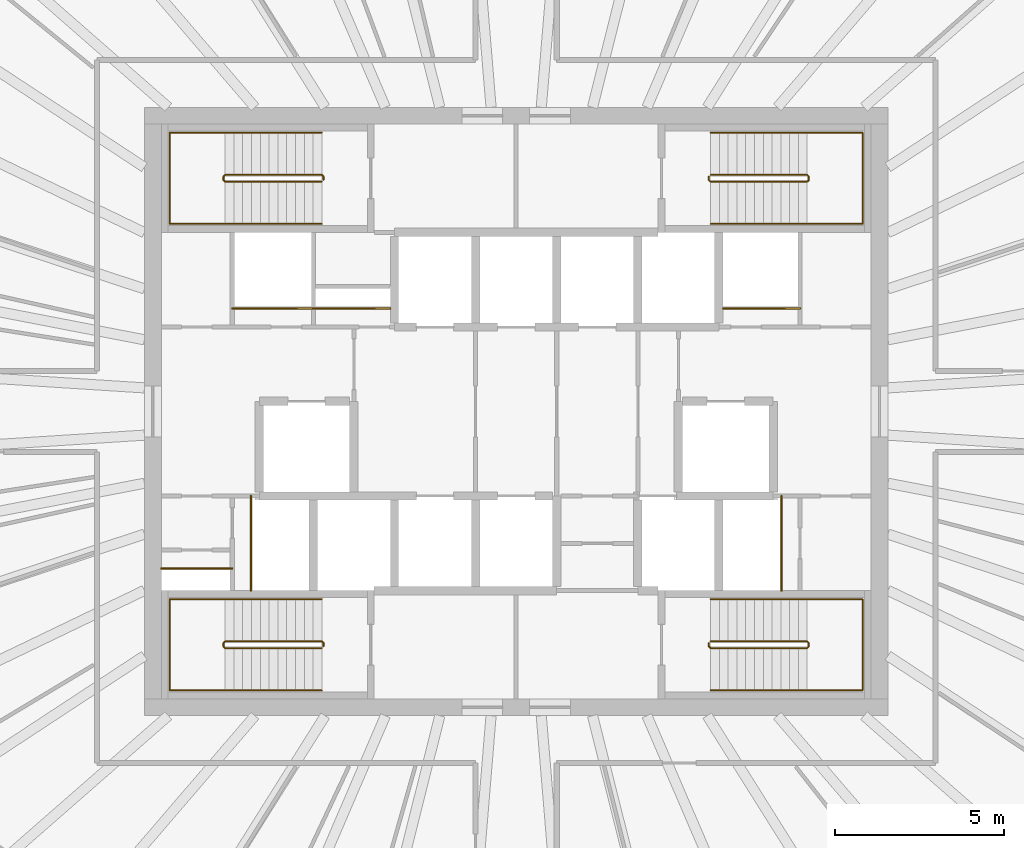
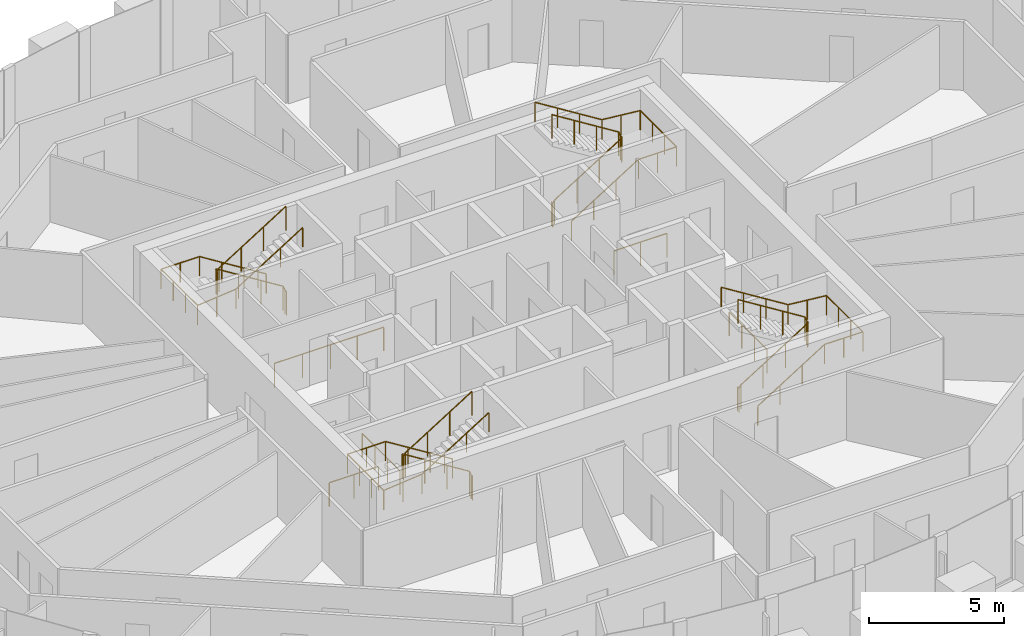
# One storey, part 12 of 12: 14 railings.
"""IFC4 building model written with IfcOpenShell, lengths in metres."""

from ifc_helpers import new_model, si_unit, direction, frame, origin, origin_2d, place, context, subcontext, project, spatial, circle, extrude, source, transform, mapped, material, type_object, element, save


model = new_model("IFC4")

# Units and contexts
model_context = context("Model", 3, precision=1e-05, world=origin(), true_north=direction((0.0, 1.0)))
body_context = subcontext(model_context, "Body", "Model", "MODEL_VIEW")
ifc_project = project(units=[si_unit("LENGTHUNIT", "METRE"), si_unit("AREAUNIT", "SQUARE_METRE"), si_unit("VOLUMEUNIT", "CUBIC_METRE"), si_unit("PLANEANGLEUNIT", "RADIAN"), si_unit("MASSUNIT", "GRAM", prefix="KILO")], contexts=[model_context])

# Site, building, storey
site_placement = place(None, origin())
site = spatial("IfcSite", under=ifc_project, at=site_placement, CompositionType="ELEMENT")
building_placement = place(site_placement, origin())
building = spatial("IfcBuilding", under=site, at=building_placement, Name="Embergate Tower", CompositionType="ELEMENT")
storey_placement = place(building_placement, frame((0.0, 0.0, 301.300048828125)))
storey = spatial("IfcBuildingStorey", under=building, at=storey_placement, Name="L70", CompositionType="ELEMENT", Elevation=301.300048828125)

# Railings
ifc_material_1 = material(Name="Stair guard 1100")
railing_type_1 = type_object("IfcRailingType", Name="Stair guard 1100", PredefinedType="GUARDRAIL", material=ifc_material_1)
shared_shape_1 = source(origin(), body_context, "Body", "SweptSolid", [
    extrude(circle(Radius=0.02392578125, at=origin_2d()), frame((0.0, 0.0, 1.076171875), z_axis=(0.0, 1.0, 0.0), x_axis=(-1.0, 0.0, 0.0)), (0.0, 0.0, 1.0), 0.099853515625),
    extrude(circle(Radius=0.02392578125, at=origin_2d()), frame((0.0, 0.099853515625, 1.076171875), z_axis=(-0.282583949758, 0.282583949758, 0.916674763849), x_axis=(-0.707106781187, -0.707106781187, 0.0)), (0.0, 0.0, 1.0), 0.177001953125),
    extrude(circle(Radius=0.02392578125, at=origin_2d()), frame((-0.050048828125, 0.14990234375, 1.23828125), z_axis=(-0.847994237388, 0.0, 0.530005446535), x_axis=(0.0, -1.0, 0.0)), (0.0, 0.0, 1.0), 3.372802734375),
    extrude(circle(Radius=0.02392578125, at=origin_2d()), frame((-2.91015625, 0.14990234375, 3.02587890625), z_axis=(-0.705375805398, -0.708833529934, 0.0), x_axis=(0.708833529934, -0.705375805398, 0.0)), (0.0, 0.0, 1.0), 0.070556640625),
    extrude(circle(Radius=0.02392578125, at=origin_2d()), frame((-2.9599609375, 0.099853515625, 3.02587890625), z_axis=(0.0, -1.0, 0.0), x_axis=(1.0, 0.0, 0.0)), (0.0, 0.0, 1.0), 0.099853515625),
    extrude(circle(Radius=0.02392578125, at=origin_2d()), frame((-2.9599609375, 0.0, 3.02587890625), z_axis=(0.280959487676, -0.282336740067, 0.917250092119), x_axis=(0.708833529934, 0.705375805398, 0.0)), (0.0, 0.0, 1.0), 0.17724609375),
    extrude(circle(Radius=0.02392578125, at=origin_2d()), frame((-2.91015625, -0.050048828125, 3.1884765625), z_axis=(0.848026770018, 0.0, 0.529953391661), x_axis=(0.0, 1.0, 0.0)), (0.0, 0.0, 1.0), 3.37255859375),
    extrude(circle(Radius=0.02099609375, at=origin_2d()), origin(), (0.0, 0.0, 1.0), 1.052001953125),
    extrude(circle(Radius=0.02099609375, at=origin_2d()), frame((0.0, 0.099853515625, 0.0)), (0.0, 0.0, 1.0), 1.052001953125),
    extrude(circle(Radius=0.02099609375, at=origin_2d()), frame((-0.050048828125, 0.14990234375, 0.162353515625)), (0.0, 0.0, 1.0), 1.052001953125),
    extrude(circle(Radius=0.02099609375, at=origin_2d()), frame((-1.00341796875, 0.14990234375, 0.75830078125)), (0.0, 0.0, 1.0), 1.052001953125),
    extrude(circle(Radius=0.02099609375, at=origin_2d()), frame((-1.956787109375, 0.14990234375, 1.35400390625)), (0.0, 0.0, 1.0), 1.052001953125),
    extrude(circle(Radius=0.02099609375, at=origin_2d()), frame((-2.91015625, 0.14990234375, 1.949951171875)), (0.0, 0.0, 1.0), 1.052001953125),
    extrude(circle(Radius=0.02099609375, at=origin_2d()), frame((-2.9599609375, 0.099853515625, 1.949951171875)), (0.0, 0.0, 1.0), 1.052001953125),
    extrude(circle(Radius=0.02099609375, at=origin_2d()), frame((-2.9599609375, 0.0, 1.949951171875)), (0.0, 0.0, 1.0), 1.052001953125),
    extrude(circle(Radius=0.02099609375, at=origin_2d()), frame((-2.91015625, -0.050048828125, 2.112548828125)), (0.0, 0.0, 1.0), 1.052001953125),
    extrude(circle(Radius=0.02099609375, at=origin_2d()), frame((-1.956787109375, -0.050048828125, 2.708251953125)), (0.0, 0.0, 1.0), 1.052001953125),
    extrude(circle(Radius=0.02099609375, at=origin_2d()), frame((-1.00341796875, -0.050048828125, 3.30419921875)), (0.0, 0.0, 1.0), 1.052001953125),
    extrude(circle(Radius=0.02099609375, at=origin_2d()), frame((-0.050048828125, -0.050048828125, 3.89990234375)), (0.0, 0.0, 1.0), 1.052001953125),
])
for number, where, name in (
    (1, (-5.699951171875, 6.85009765625, 0.0), "L70 ST1 stair guard 1"),
    (2, (-5.699951171875, -6.949951171875, 0.0), "L70 ST3 stair guard 1"),
):
    element("IfcRailing", number, at=place(storey_placement, frame(where)), inside=storey, type_object=railing_type_1, Name=name, PredefinedType="GUARDRAIL", context=body_context, shape_type="MappedRepresentation", body=[
        mapped(shared_shape_1, transform((0.0, 0.0, 0.0))),
    ])
ifc_material_2 = material(Name="Stair handrail 900")
railing_type_2 = type_object("IfcRailingType", Name="Stair handrail 900", PredefinedType="HANDRAIL", material=ifc_material_2)
shared_shape_2 = source(origin(), body_context, "Body", "SweptSolid", [
    extrude(circle(Radius=0.02392578125, at=origin_2d()), frame((0.0, 0.0, 0.8759765625), z_axis=(-0.847994237388, 0.0, 0.530005446535), x_axis=(0.0, -1.0, 0.0)), (0.0, 0.0, 1.0), 3.372802734375),
    extrude(circle(Radius=0.02392578125, at=origin_2d()), frame((-2.860107421875, 0.0, 2.66357421875), z_axis=(-1.0, 0.0, 0.0), x_axis=(0.0, -1.0, 0.0)), (0.0, 0.0, 1.0), 1.639892578125),
    extrude(circle(Radius=0.02392578125, at=origin_2d()), frame((-4.5, 0.0, 2.66357421875), z_axis=(0.0, -1.0, 0.0), x_axis=(1.0, 0.0, 0.0)), (0.0, 0.0, 1.0), 2.699951171875),
    extrude(circle(Radius=0.02392578125, at=origin_2d()), frame((-4.5, -2.699951171875, 2.66357421875), z_axis=(0.995120448088, 0.0, 0.098667592441), x_axis=(0.0, 1.0, 0.0)), (0.0, 0.0, 1.0), 1.64794921875),
    extrude(circle(Radius=0.02392578125, at=origin_2d()), frame((-2.860107421875, -2.699951171875, 2.826171875), z_axis=(0.848026770018, 0.0, 0.529953391661), x_axis=(0.0, 1.0, 0.0)), (0.0, 0.0, 1.0), 3.37255859375),
    extrude(circle(Radius=0.02099609375, at=origin_2d()), origin(), (0.0, 0.0, 1.0), 0.851806640625),
    extrude(circle(Radius=0.02099609375, at=origin_2d()), frame((-0.953369140625, 0.0, 0.595947265625)), (0.0, 0.0, 1.0), 0.851806640625),
    extrude(circle(Radius=0.02099609375, at=origin_2d()), frame((-1.90673828125, 0.0, 1.191650390625)), (0.0, 0.0, 1.0), 0.851806640625),
    extrude(circle(Radius=0.02099609375, at=origin_2d()), frame((-2.860107421875, 0.0, 1.78759765625)), (0.0, 0.0, 1.0), 0.851806640625),
    extrude(circle(Radius=0.02099609375, at=origin_2d()), frame((-3.68017578125, 0.0, 1.78759765625)), (0.0, 0.0, 1.0), 0.851806640625),
    extrude(circle(Radius=0.02099609375, at=origin_2d()), frame((-4.5, 0.0, 1.78759765625)), (0.0, 0.0, 1.0), 0.851806640625),
    extrude(circle(Radius=0.02099609375, at=origin_2d()), frame((-4.5, -0.89990234375, 1.78759765625)), (0.0, 0.0, 1.0), 0.851806640625),
    extrude(circle(Radius=0.02099609375, at=origin_2d()), frame((-4.5, -1.800048828125, 1.78759765625)), (0.0, 0.0, 1.0), 0.851806640625),
    extrude(circle(Radius=0.02099609375, at=origin_2d()), frame((-4.5, -2.699951171875, 1.78759765625)), (0.0, 0.0, 1.0), 0.851806640625),
    extrude(circle(Radius=0.02099609375, at=origin_2d()), frame((-3.68017578125, -2.699951171875, 1.868896484375)), (0.0, 0.0, 1.0), 0.851806640625),
    extrude(circle(Radius=0.02099609375, at=origin_2d()), frame((-2.860107421875, -2.699951171875, 1.9501953125)), (0.0, 0.0, 1.0), 0.851806640625),
    extrude(circle(Radius=0.02099609375, at=origin_2d()), frame((-1.90673828125, -2.699951171875, 2.5458984375)), (0.0, 0.0, 1.0), 0.851806640625),
    extrude(circle(Radius=0.02099609375, at=origin_2d()), frame((-0.953369140625, -2.699951171875, 3.141845703125)), (0.0, 0.0, 1.0), 0.851806640625),
    extrude(circle(Radius=0.02099609375, at=origin_2d()), frame((0.0, -2.699951171875, 3.737548828125)), (0.0, 0.0, 1.0), 0.851806640625),
])
for number, where, name in (
    (3, (-5.75, 8.25, 0.162353515625), "L70 ST1 stair handrail 1"),
    (4, (-5.75, -5.550048828125, 0.162353515625), "L70 ST3 stair handrail 1"),
):
    element("IfcRailing", number, at=place(storey_placement, frame(where)), inside=storey, type_object=railing_type_2, Name=name, PredefinedType="HANDRAIL", context=body_context, shape_type="MappedRepresentation", body=[
        mapped(shared_shape_2, transform((0.0, 0.0, 0.0))),
    ])
shared_shape_3 = source(origin(), body_context, "Body", "SweptSolid", [
    extrude(circle(Radius=0.02392578125, at=origin_2d()), frame((0.0, 0.0, 1.076171875), z_axis=(0.0, -1.0, 0.0), x_axis=(1.0, 0.0, 0.0)), (0.0, 0.0, 1.0), 0.099853515625),
    extrude(circle(Radius=0.02392578125, at=origin_2d()), frame((0.0, -0.099853515625, 1.076171875), z_axis=(0.282583949758, -0.282583949758, 0.916674763849), x_axis=(0.707106781187, 0.707106781187, 0.0)), (0.0, 0.0, 1.0), 0.177001953125),
    extrude(circle(Radius=0.02392578125, at=origin_2d()), frame((0.050048828125, -0.14990234375, 1.23828125), z_axis=(0.847994237388, 0.0, 0.530005446535), x_axis=(0.0, 1.0, 0.0)), (0.0, 0.0, 1.0), 3.372802734375),
    extrude(circle(Radius=0.02392578125, at=origin_2d()), frame((2.91015625, -0.14990234375, 3.02587890625), z_axis=(0.705375805398, 0.708833529934, 0.0), x_axis=(-0.708833529934, 0.705375805398, 0.0)), (0.0, 0.0, 1.0), 0.070556640625),
    extrude(circle(Radius=0.02392578125, at=origin_2d()), frame((2.9599609375, -0.099853515625, 3.02587890625), z_axis=(0.0, 1.0, 0.0), x_axis=(-1.0, 0.0, 0.0)), (0.0, 0.0, 1.0), 0.099853515625),
    extrude(circle(Radius=0.02392578125, at=origin_2d()), frame((2.9599609375, 0.0, 3.02587890625), z_axis=(-0.280959487676, 0.282336740067, 0.917250092119), x_axis=(-0.708833529934, -0.705375805398, 0.0)), (0.0, 0.0, 1.0), 0.17724609375),
    extrude(circle(Radius=0.02392578125, at=origin_2d()), frame((2.91015625, 0.050048828125, 3.1884765625), z_axis=(-0.848026770018, 0.0, 0.529953391661), x_axis=(0.0, -1.0, 0.0)), (0.0, 0.0, 1.0), 3.37255859375),
    extrude(circle(Radius=0.02099609375, at=origin_2d()), origin(), (0.0, 0.0, 1.0), 1.052001953125),
    extrude(circle(Radius=0.02099609375, at=origin_2d()), frame((0.0, -0.099853515625, 0.0)), (0.0, 0.0, 1.0), 1.052001953125),
    extrude(circle(Radius=0.02099609375, at=origin_2d()), frame((0.050048828125, -0.14990234375, 0.162353515625)), (0.0, 0.0, 1.0), 1.052001953125),
    extrude(circle(Radius=0.02099609375, at=origin_2d()), frame((1.00341796875, -0.14990234375, 0.75830078125)), (0.0, 0.0, 1.0), 1.052001953125),
    extrude(circle(Radius=0.02099609375, at=origin_2d()), frame((1.956787109375, -0.14990234375, 1.35400390625)), (0.0, 0.0, 1.0), 1.052001953125),
    extrude(circle(Radius=0.02099609375, at=origin_2d()), frame((2.91015625, -0.14990234375, 1.949951171875)), (0.0, 0.0, 1.0), 1.052001953125),
    extrude(circle(Radius=0.02099609375, at=origin_2d()), frame((2.9599609375, -0.099853515625, 1.949951171875)), (0.0, 0.0, 1.0), 1.052001953125),
    extrude(circle(Radius=0.02099609375, at=origin_2d()), frame((2.9599609375, 0.0, 1.949951171875)), (0.0, 0.0, 1.0), 1.052001953125),
    extrude(circle(Radius=0.02099609375, at=origin_2d()), frame((2.91015625, 0.050048828125, 2.112548828125)), (0.0, 0.0, 1.0), 1.052001953125),
    extrude(circle(Radius=0.02099609375, at=origin_2d()), frame((1.956787109375, 0.050048828125, 2.708251953125)), (0.0, 0.0, 1.0), 1.052001953125),
    extrude(circle(Radius=0.02099609375, at=origin_2d()), frame((1.00341796875, 0.050048828125, 3.30419921875)), (0.0, 0.0, 1.0), 1.052001953125),
    extrude(circle(Radius=0.02099609375, at=origin_2d()), frame((0.050048828125, 0.050048828125, 3.89990234375)), (0.0, 0.0, 1.0), 1.052001953125),
])
for number, where, name in (
    (5, (5.699951171875, 6.949951171875, 0.0), "L70 ST2 stair guard 1"),
    (6, (5.699951171875, -6.85009765625, 0.0), "L70 ST4 stair guard 1"),
):
    element("IfcRailing", number, at=place(storey_placement, frame(where)), inside=storey, type_object=railing_type_1, Name=name, PredefinedType="GUARDRAIL", context=body_context, shape_type="MappedRepresentation", body=[
        mapped(shared_shape_3, transform((0.0, 0.0, 0.0))),
    ])
shared_shape_4 = source(origin(), body_context, "Body", "SweptSolid", [
    extrude(circle(Radius=0.02392578125, at=origin_2d()), frame((0.0, 0.0, 0.8759765625), z_axis=(0.847994237388, 0.0, 0.530005446535), x_axis=(0.0, 1.0, 0.0)), (0.0, 0.0, 1.0), 3.372802734375),
    extrude(circle(Radius=0.02392578125, at=origin_2d()), frame((2.860107421875, 0.0, 2.66357421875), z_axis=(1.0, 0.0, 0.0), x_axis=(0.0, 1.0, 0.0)), (0.0, 0.0, 1.0), 1.639892578125),
    extrude(circle(Radius=0.02392578125, at=origin_2d()), frame((4.5, 0.0, 2.66357421875), z_axis=(0.0, 1.0, 0.0), x_axis=(-1.0, 0.0, 0.0)), (0.0, 0.0, 1.0), 2.699951171875),
    extrude(circle(Radius=0.02392578125, at=origin_2d()), frame((4.5, 2.699951171875, 2.66357421875), z_axis=(-0.995120448088, 0.0, 0.098667592441), x_axis=(0.0, -1.0, 0.0)), (0.0, 0.0, 1.0), 1.64794921875),
    extrude(circle(Radius=0.02392578125, at=origin_2d()), frame((2.860107421875, 2.699951171875, 2.826171875), z_axis=(-0.848026770018, 0.0, 0.529953391661), x_axis=(0.0, -1.0, 0.0)), (0.0, 0.0, 1.0), 3.37255859375),
    extrude(circle(Radius=0.02099609375, at=origin_2d()), origin(), (0.0, 0.0, 1.0), 0.851806640625),
    extrude(circle(Radius=0.02099609375, at=origin_2d()), frame((0.953369140625, 0.0, 0.595947265625)), (0.0, 0.0, 1.0), 0.851806640625),
    extrude(circle(Radius=0.02099609375, at=origin_2d()), frame((1.90673828125, 0.0, 1.191650390625)), (0.0, 0.0, 1.0), 0.851806640625),
    extrude(circle(Radius=0.02099609375, at=origin_2d()), frame((2.860107421875, 0.0, 1.78759765625)), (0.0, 0.0, 1.0), 0.851806640625),
    extrude(circle(Radius=0.02099609375, at=origin_2d()), frame((3.68017578125, 0.0, 1.78759765625)), (0.0, 0.0, 1.0), 0.851806640625),
    extrude(circle(Radius=0.02099609375, at=origin_2d()), frame((4.5, 0.0, 1.78759765625)), (0.0, 0.0, 1.0), 0.851806640625),
    extrude(circle(Radius=0.02099609375, at=origin_2d()), frame((4.5, 0.89990234375, 1.78759765625)), (0.0, 0.0, 1.0), 0.851806640625),
    extrude(circle(Radius=0.02099609375, at=origin_2d()), frame((4.5, 1.800048828125, 1.78759765625)), (0.0, 0.0, 1.0), 0.851806640625),
    extrude(circle(Radius=0.02099609375, at=origin_2d()), frame((4.5, 2.699951171875, 1.78759765625)), (0.0, 0.0, 1.0), 0.851806640625),
    extrude(circle(Radius=0.02099609375, at=origin_2d()), frame((3.68017578125, 2.699951171875, 1.868896484375)), (0.0, 0.0, 1.0), 0.851806640625),
    extrude(circle(Radius=0.02099609375, at=origin_2d()), frame((2.860107421875, 2.699951171875, 1.9501953125)), (0.0, 0.0, 1.0), 0.851806640625),
    extrude(circle(Radius=0.02099609375, at=origin_2d()), frame((1.90673828125, 2.699951171875, 2.5458984375)), (0.0, 0.0, 1.0), 0.851806640625),
    extrude(circle(Radius=0.02099609375, at=origin_2d()), frame((0.953369140625, 2.699951171875, 3.141845703125)), (0.0, 0.0, 1.0), 0.851806640625),
    extrude(circle(Radius=0.02099609375, at=origin_2d()), frame((0.0, 2.699951171875, 3.737548828125)), (0.0, 0.0, 1.0), 0.851806640625),
])
for number, where, name in (
    (7, (5.75, 5.550048828125, 0.162353515625), "L70 ST2 stair handrail 1"),
    (8, (5.75, -8.25, 0.162353515625), "L70 ST4 stair handrail 1"),
):
    element("IfcRailing", number, at=place(storey_placement, frame(where)), inside=storey, type_object=railing_type_2, Name=name, PredefinedType="HANDRAIL", context=body_context, shape_type="MappedRepresentation", body=[
        mapped(shared_shape_4, transform((0.0, 0.0, 0.0))),
    ])
ifc_material_3 = material(Name="Opening guard 1100")
railing_type_3 = type_object("IfcRailingType", Name="Opening guard 1100", PredefinedType="GUARDRAIL", material=ifc_material_3)
shared_shape_5 = source(origin(), body_context, "Body", "SweptSolid", [
    extrude(circle(Radius=0.02392578125, at=origin_2d()), frame((0.0, 0.0, 1.076171875), z_axis=(1.0, 0.0, 0.0), x_axis=(0.0, 1.0, 0.0)), (0.0, 0.0, 1.0), 2.27490234375),
    extrude(circle(Radius=0.02099609375, at=origin_2d()), origin(), (0.0, 0.0, 1.0), 1.052001953125),
    extrude(circle(Radius=0.02099609375, at=origin_2d()), frame((1.137451171875, 0.0, 0.0)), (0.0, 0.0, 1.0), 1.052001953125),
    extrude(circle(Radius=0.02099609375, at=origin_2d()), frame((2.27490234375, 0.0, 0.0)), (0.0, 0.0, 1.0), 1.052001953125),
])
for number, where, name in (
    (9, (6.125, 3.050048828125, 0.0), "Riser opening guard"),
    (10, (-6.0, 3.050048828125, 0.0), "Riser opening guard"),
):
    element("IfcRailing", number, at=place(storey_placement, frame(where)), inside=storey, type_object=railing_type_3, Name=name, PredefinedType="GUARDRAIL", context=body_context, shape_type="MappedRepresentation", body=[
        mapped(shared_shape_5, transform((0.0, 0.0, 0.0))),
    ])
shared_shape_6 = source(origin(), body_context, "Body", "SweptSolid", [
    extrude(circle(Radius=0.02392578125, at=origin_2d()), frame((0.0, 0.0, 1.076171875), z_axis=(0.0, 1.0, 0.0), x_axis=(-1.0, 0.0, 0.0)), (0.0, 0.0, 1.0), 2.800048828125),
    extrude(circle(Radius=0.02099609375, at=origin_2d()), origin(), (0.0, 0.0, 1.0), 1.052001953125),
    extrude(circle(Radius=0.02099609375, at=origin_2d()), frame((0.0, 0.933349609375, 0.0)), (0.0, 0.0, 1.0), 1.052001953125),
    extrude(circle(Radius=0.02099609375, at=origin_2d()), frame((0.0, 1.86669921875, 0.0)), (0.0, 0.0, 1.0), 1.052001953125),
    extrude(circle(Radius=0.02099609375, at=origin_2d()), frame((0.0, 2.800048828125, 0.0)), (0.0, 0.0, 1.0), 1.052001953125),
])
for number, where, name in (
    (11, (-7.85009765625, -5.300048828125, 0.0), "Riser opening guard"),
    (12, (7.85009765625, -5.300048828125, 0.0), "Riser opening guard"),
):
    element("IfcRailing", number, at=place(storey_placement, frame(where)), inside=storey, type_object=railing_type_3, Name=name, PredefinedType="GUARDRAIL", context=body_context, shape_type="MappedRepresentation", body=[
        mapped(shared_shape_6, transform((0.0, 0.0, 0.0))),
    ])
shared_shape_7 = source(origin(), body_context, "Body", "SweptSolid", [
    extrude(circle(Radius=0.02392578125, at=origin_2d()), frame((0.0, 0.0, 1.076171875), z_axis=(1.0, 0.0, 0.0), x_axis=(0.0, 1.0, 0.0)), (0.0, 0.0, 1.0), 2.39990234375),
    extrude(circle(Radius=0.02099609375, at=origin_2d()), origin(), (0.0, 0.0, 1.0), 1.052001953125),
    extrude(circle(Radius=0.02099609375, at=origin_2d()), frame((1.199951171875, 0.0, 0.0)), (0.0, 0.0, 1.0), 1.052001953125),
    extrude(circle(Radius=0.02099609375, at=origin_2d()), frame((2.39990234375, 0.0, 0.0)), (0.0, 0.0, 1.0), 1.052001953125),
])
railing_1_placement = place(storey_placement, frame((-8.39990234375, 3.050048828125, 0.0)))
element("IfcRailing", 13, at=railing_1_placement, inside=storey, type_object=railing_type_3, Name="Riser opening guard", PredefinedType="GUARDRAIL", context=body_context, shape_type="MappedRepresentation", body=[
    mapped(shared_shape_7, transform((0.0, 0.0, 0.0))),
])
shared_shape_8 = source(origin(), body_context, "Body", "SweptSolid", [
    extrude(circle(Radius=0.02392578125, at=origin_2d()), frame((0.0, 0.0, 1.076171875), z_axis=(1.0, 0.0, 0.0), x_axis=(0.0, 1.0, 0.0)), (0.0, 0.0, 1.0), 2.10009765625),
    extrude(circle(Radius=0.02099609375, at=origin_2d()), origin(), (0.0, 0.0, 1.0), 1.052001953125),
    extrude(circle(Radius=0.02099609375, at=origin_2d()), frame((1.050048828125, 0.0, 0.0)), (0.0, 0.0, 1.0), 1.052001953125),
    extrude(circle(Radius=0.02099609375, at=origin_2d()), frame((2.10009765625, 0.0, 0.0)), (0.0, 0.0, 1.0), 1.052001953125),
])
railing_2_placement = place(storey_placement, frame((-10.5, -4.64599609375, 0.0)))
element("IfcRailing", 14, at=railing_2_placement, inside=storey, type_object=railing_type_3, Name="Riser opening guard", PredefinedType="GUARDRAIL", context=body_context, shape_type="MappedRepresentation", body=[
    mapped(shared_shape_8, transform((0.0, 0.0, 0.0))),
])

save(model, "model.ifc")
